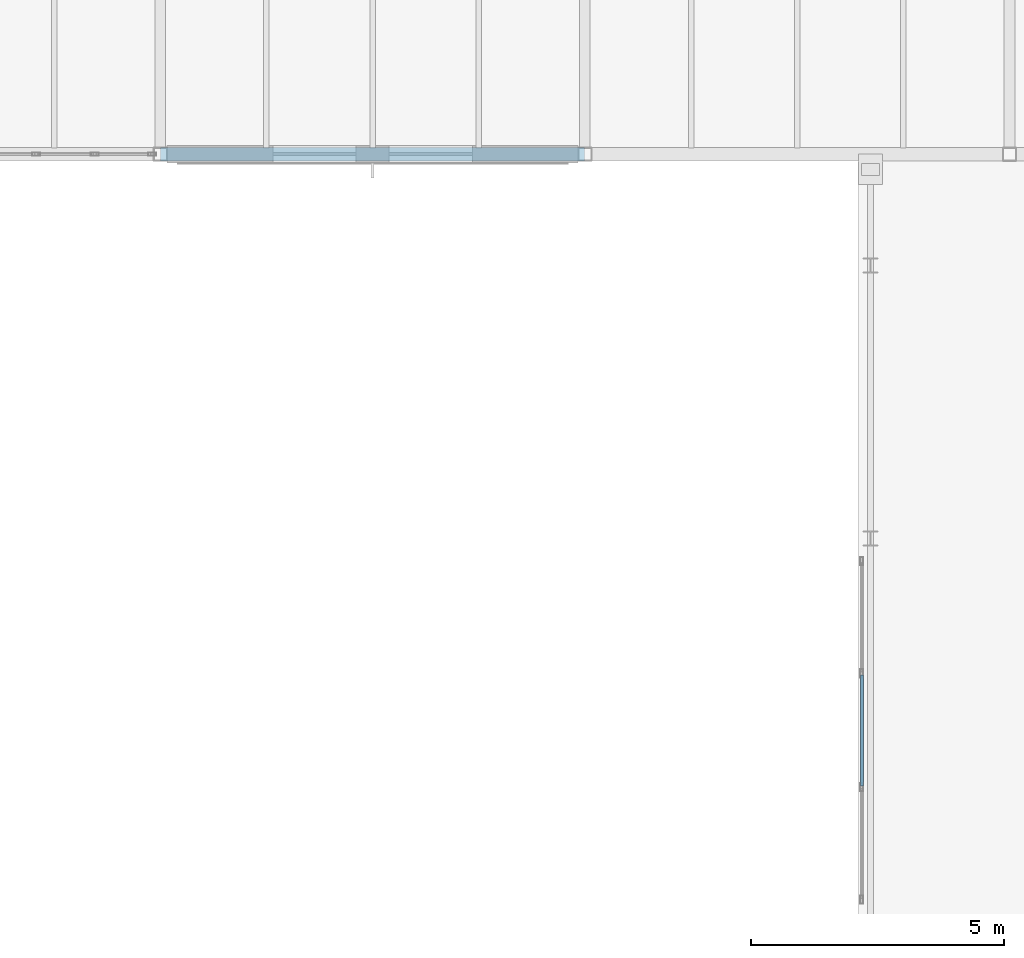
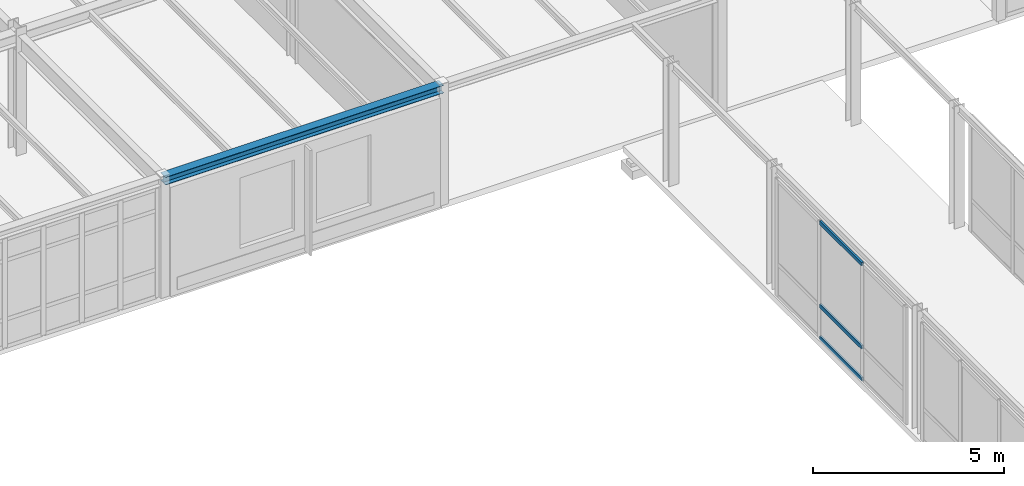
# One storey, part 86 of 189: 3 members, 1 beam, 1 element without a shape of its own.
"""IFC4 building model written with IfcOpenShell, lengths in metres."""

from ifc_helpers import new_model, si_unit, direction, frame, origin, origin_2d, place, context, subcontext, project, spatial, hollow_rectangle, i_section, extrude, material, layer, layer_set, material_profile, profile_set, type_object, element, aggregate, save


model = new_model("IFC4")

# Units and contexts
model_context = context("Model", 3, precision=1e-05, world=origin(), true_north=direction((0.0, 1.0)))
body_context = subcontext(model_context, "Body", "Model", "MODEL_VIEW")
ifc_project = project(units=[si_unit("LENGTHUNIT", "METRE"), si_unit("AREAUNIT", "SQUARE_METRE"), si_unit("VOLUMEUNIT", "CUBIC_METRE"), si_unit("PLANEANGLEUNIT", "RADIAN"), si_unit("MASSUNIT", "GRAM", prefix="KILO")], contexts=[model_context])

# Site, building, storey
site_placement = place(None, origin())
site = spatial("IfcSite", under=ifc_project, at=site_placement, CompositionType="ELEMENT")
building_placement = place(site_placement, origin())
building = spatial("IfcBuilding", under=site, at=building_placement, Name="Montecoro Central Library", CompositionType="ELEMENT")
storey_placement = place(building_placement, frame((0.0, 0.0, 9.179931640625)))
storey = spatial("IfcBuildingStorey", under=building, at=storey_placement, Name="L02", CompositionType="ELEMENT", Elevation=9.179931640625)

# Beam
ifc_material_1 = material(Name="Steel S355", Category="steel")
ifc_material_profile_1 = material_profile(ifc_material_1, i_section(OverallWidth=0.260009765625, OverallDepth=0.25, WebThickness=0.007568359375, FlangeThickness=0.012451171875, at=origin_2d()), Name="HEA 260")
ifc_profile_set_1 = profile_set([ifc_material_profile_1], Name="Steel S355")
beam_type = type_object("IfcBeamType", Name="BM-SP-HEA260", PredefinedType="SPANDREL", material=ifc_profile_set_1)
beam_placement = place(storey_placement, frame((74.804931640625, 81.0, 3.699951171875), z_axis=(1.0, 0.0, 0.0), x_axis=(0.0, 1.0, 0.0)))
element("IfcBeam", 1, at=beam_placement, inside=storey, type_object=beam_type, Name="V2-L02-BX-1011-L", PredefinedType="SPANDREL", context=body_context, shape_type="SweptSolid", body=[
    extrude(i_section(OverallWidth=0.260009765625, OverallDepth=0.25, WebThickness=0.007568359375, FlangeThickness=0.012451171875, at=origin_2d()), origin(), (0.0, 0.0, 1.0), 8.39013671875),
])

# Curtain wall, members
ifc_material_2 = material(Name="Bronze-anodised aluminium and low-E glazing", Category="aluminium")
ifc_layer = layer(ifc_material_2, 0.159912109375)
ifc_layer_set = layer_set([ifc_layer], Name="Bronze-anodised aluminium and low-E glazing")
curtain_wall_type = type_object("IfcCurtainWallType", Name="CWT-078", PredefinedType="NOTDEFINED", material=ifc_layer_set)
curtain_wall_placement = place(storey_placement, origin())
curtain_wall = element("IfcCurtainWall", 2, at=curtain_wall_placement, inside=storey, type_object=curtain_wall_type, Name="BR-N-L02-CW-W2", PredefinedType="NOTDEFINED")
ifc_material_3 = material(Name="Bronze-anodised aluminium", Category="aluminium")
ifc_material_profile_2 = material_profile(ifc_material_3, hollow_rectangle(XDim=0.06005859375, YDim=0.1201171875, WallThickness=0.00390625, at=origin_2d()), Name="CWT 120x60x4.0")
ifc_profile_set_2 = profile_set([ifc_material_profile_2], Name="Bronze-anodised aluminium")
member_type = type_object("IfcMemberType", Name="CWT-BRZ-60", PredefinedType="USERDEFINED", material=ifc_profile_set_2)
member_1_placement = place(storey_placement, frame((88.679931640625, 68.50341796875, 0.030029296875), z_axis=(0.0, 1.0, 0.0), x_axis=(-1.0, 0.0, 0.0)))
member_1 = element("IfcMember", 3, at=member_1_placement, type_object=member_type, Name="CW-078 transom 2.1", ObjectType="TRANSOM", PredefinedType="USERDEFINED", context=body_context, shape_type="SweptSolid", body=[
    extrude(hollow_rectangle(XDim=0.06005859375, YDim=0.1201171875, WallThickness=0.00390625, at=origin_2d()), origin(), (0.0, 0.0, 1.0), 2.193359375),
])
member_2_placement = place(storey_placement, frame((88.679931640625, 68.50341796875, 1.050048828125), z_axis=(0.0, 1.0, 0.0), x_axis=(-1.0, 0.0, 0.0)))
member_2 = element("IfcMember", 4, at=member_2_placement, type_object=member_type, Name="CW-078 transom 2.2", ObjectType="TRANSOM", PredefinedType="USERDEFINED", context=body_context, shape_type="SweptSolid", body=[
    extrude(hollow_rectangle(XDim=0.06005859375, YDim=0.1201171875, WallThickness=0.00390625, at=origin_2d()), origin(), (0.0, 0.0, 1.0), 2.193359375),
])
member_3_placement = place(storey_placement, frame((88.679931640625, 68.50341796875, 3.699951171875), z_axis=(0.0, 1.0, 0.0), x_axis=(-1.0, 0.0, 0.0)))
member_3 = element("IfcMember", 5, at=member_3_placement, type_object=member_type, Name="CW-078 transom 2.3", ObjectType="TRANSOM", PredefinedType="USERDEFINED", context=body_context, shape_type="SweptSolid", body=[
    extrude(hollow_rectangle(XDim=0.06005859375, YDim=0.1201171875, WallThickness=0.00390625, at=origin_2d()), origin(), (0.0, 0.0, 1.0), 2.193359375),
])
aggregate(curtain_wall, [member_1, member_2, member_3])

save(model, "model.ifc")
